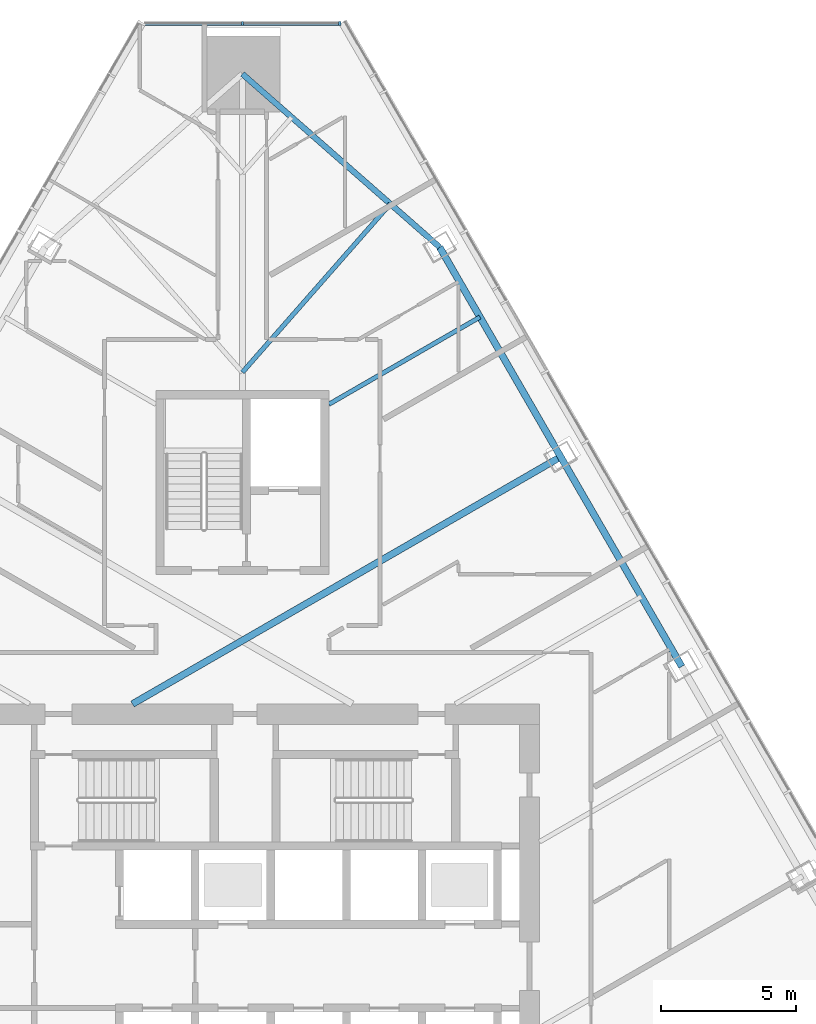
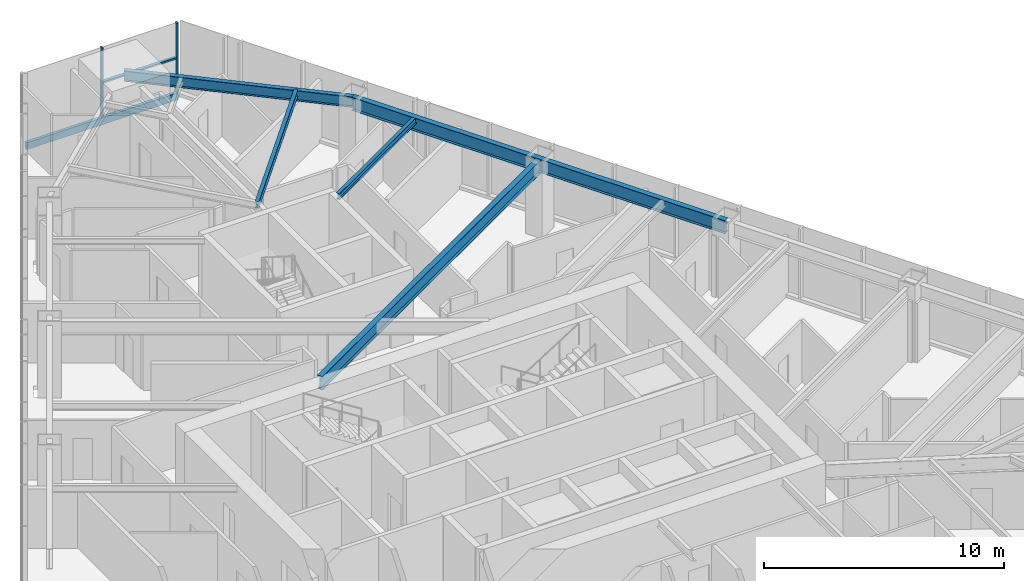
# One storey, part 12 of 21: 5 beams, 4 members, 1 element without a shape of its own.
"""IFC4 building model written with IfcOpenShell, lengths in metres."""

from ifc_helpers import new_model, si_unit, direction, frame, origin, origin_2d, place, context, subcontext, project, spatial, rectangle, i_section, extrude, material, layer, layer_set, material_profile, profile_set, type_object, element, aggregate, save


model = new_model("IFC4")

# Units and contexts
model_context = context("Model", 3, precision=1e-05, world=origin(), true_north=direction((0.0, 1.0)))
body_context = subcontext(model_context, "Body", "Model", "MODEL_VIEW")
ifc_project = project(units=[si_unit("LENGTHUNIT", "METRE"), si_unit("AREAUNIT", "SQUARE_METRE"), si_unit("VOLUMEUNIT", "CUBIC_METRE"), si_unit("PLANEANGLEUNIT", "RADIAN"), si_unit("MASSUNIT", "GRAM", prefix="KILO")], contexts=[model_context])

# Site, building, storey
site_placement = place(None, origin())
site = spatial("IfcSite", under=ifc_project, at=site_placement, CompositionType="ELEMENT")
building_placement = place(site_placement, origin())
building = spatial("IfcBuilding", under=site, at=building_placement, Name="Firuza Gate Tower and Library", CompositionType="ELEMENT")
storey_placement = place(building_placement, frame((0.0, 0.0, 167.5)))
storey = spatial("IfcBuildingStorey", under=building, at=storey_placement, Name="L38", CompositionType="ELEMENT", Elevation=167.5)

# Curtain wall, members
ifc_material_1 = material(Name="Aluminium 6063-T6", Category="aluminium")
ifc_layer = layer(ifc_material_1, 0.14990234375)
ifc_layer_set = layer_set([ifc_layer], Name="Corner curtain wall, chamfers")
curtain_wall_type = type_object("IfcCurtainWallType", Name="Corner curtain wall, chamfers", PredefinedType="NOTDEFINED", material=ifc_layer_set)
curtain_wall_placement = place(storey_placement, origin())
curtain_wall = element("IfcCurtainWall", 1, at=curtain_wall_placement, inside=storey, type_object=curtain_wall_type, Name="CW4 L38 N corner", PredefinedType="NOTDEFINED")
ifc_material_2 = material(Name="Aluminium 6063-T6", Category="aluminium")
ifc_material_profile_1 = material_profile(ifc_material_2, rectangle(XDim=0.14990234375, YDim=0.080078125, at=origin_2d()))
ifc_profile_set_1 = profile_set([ifc_material_profile_1], Name="Aluminium 6063-T6")
member_type_1 = type_object("IfcMemberType", Name="Curtain wall mullion 80x150", PredefinedType="MULLION", material=ifc_profile_set_1)
member_1_placement = place(storey_placement, frame((78.603271484375, 108.198486328125, 0.14990234375), z_axis=(0.0, 0.0, 1.0), x_axis=(0.0, -1.0, 0.0)))
member_1 = element("IfcMember", 2, at=member_1_placement, type_object=member_type_1, Name="Mullion", PredefinedType="MULLION", context=body_context, shape_type="SweptSolid", body=[
    extrude(rectangle(XDim=0.14990234375, YDim=0.080078125, at=origin_2d()), origin(), (0.0, 0.0, 1.0), 3.550048828125),
])
member_2_placement = place(storey_placement, frame((75.0, 108.198486328125, 0.14990234375), z_axis=(0.0, 0.0, 1.0), x_axis=(0.0, -1.0, 0.0)))
member_2 = element("IfcMember", 3, at=member_2_placement, type_object=member_type_1, Name="Mullion", PredefinedType="MULLION", context=body_context, shape_type="SweptSolid", body=[
    extrude(rectangle(XDim=0.14990234375, YDim=0.080078125, at=origin_2d()), origin(), (0.0, 0.0, 1.0), 3.550048828125),
])
ifc_material_3 = material(Name="Aluminium 6063-T6", Category="aluminium")
ifc_material_profile_2 = material_profile(ifc_material_3, rectangle(XDim=0.14990234375, YDim=0.35009765625, at=origin_2d()))
ifc_profile_set_2 = profile_set([ifc_material_profile_2], Name="Aluminium 6063-T6")
member_type_2 = type_object("IfcMemberType", Name="Curtain wall transom 350x150", PredefinedType="USERDEFINED", material=ifc_profile_set_2)
member_3_placement = place(storey_placement, frame((78.643310546875, 108.198486328125, -0.02490234375), z_axis=(-1.0, 0.0, 0.0), x_axis=(0.0, -1.0, 0.0)))
member_3 = element("IfcMember", 4, at=member_3_placement, type_object=member_type_2, Name="Transom", ObjectType="TRANSOM", PredefinedType="USERDEFINED", context=body_context, shape_type="SweptSolid", body=[
    extrude(rectangle(XDim=0.14990234375, YDim=0.35009765625, at=origin_2d()), origin(), (0.0, 0.0, 1.0), 7.28662109375),
])
ifc_material_4 = material(Name="Aluminium 6063-T6", Category="aluminium")
ifc_material_profile_3 = material_profile(ifc_material_4, rectangle(XDim=0.14990234375, YDim=0.080078125, at=origin_2d()))
ifc_profile_set_3 = profile_set([ifc_material_profile_3], Name="Aluminium 6063-T6")
member_type_3 = type_object("IfcMemberType", Name="Curtain wall transom 80x150", PredefinedType="USERDEFINED", material=ifc_profile_set_3)
member_4_placement = place(storey_placement, frame((78.603271484375, 108.198486328125, 1.925048828125), z_axis=(-1.0, 0.0, 0.0), x_axis=(0.0, -1.0, 0.0)))
member_4 = element("IfcMember", 5, at=member_4_placement, type_object=member_type_3, Name="Transom", ObjectType="TRANSOM", PredefinedType="USERDEFINED", context=body_context, shape_type="SweptSolid", body=[
    extrude(rectangle(XDim=0.14990234375, YDim=0.080078125, at=origin_2d()), origin(), (0.0, 0.0, 1.0), 3.563232421875),
])
aggregate(curtain_wall, [member_1, member_2, member_3, member_4])

# Beams
ifc_material_5 = material(Name="Steel S355", Category="steel")
ifc_material_profile_4 = material_profile(ifc_material_5, i_section(OverallWidth=0.1650390625, OverallDepth=0.31005859375, WebThickness=0.005859375, FlangeThickness=0.009765625, at=origin_2d()))
ifc_profile_set_4 = profile_set([ifc_material_profile_4], Name="Steel S355")
beam_type_1 = type_object("IfcBeamType", Name="W310x39 Floor beam", PredefinedType="JOIST", material=ifc_profile_set_4)
beam_1_placement = place(storey_placement, frame((83.795166015625, 97.3251953125, 3.544921875), z_axis=(-0.86602071536, -0.500008120501, 0.0), x_axis=(0.500008120501, -0.86602071536, 0.0)))
element("IfcBeam", 6, at=beam_1_placement, inside=storey, type_object=beam_type_1, Name="Floor beam L38 s55", PredefinedType="JOIST", context=body_context, shape_type="SweptSolid", body=[
    extrude(i_section(OverallWidth=0.1650390625, OverallDepth=0.31005859375, WebThickness=0.005859375, FlangeThickness=0.009765625, at=origin_2d()), origin(), (0.0, 0.0, 1.0), 6.4609375),
])
ifc_material_6 = material(Name="Steel S355", Category="steel")
ifc_material_profile_5 = material_profile(ifc_material_6, i_section(OverallWidth=0.1708984375, OverallDepth=0.35498046875, WebThickness=0.007080078125, FlangeThickness=0.01171875, at=origin_2d()))
ifc_profile_set_5 = profile_set([ifc_material_profile_5], Name="Steel S355")
beam_type_2 = type_object("IfcBeamType", Name="W360x51 Floor beam", PredefinedType="JOIST", material=ifc_profile_set_5)
beam_2_placement = place(storey_placement, frame((80.47607421875, 101.51513671875, 3.5224609375), z_axis=(-0.659805224478, -0.751436667824, 0.0), x_axis=(0.751436667824, -0.659805224478, 0.0)))
element("IfcBeam", 7, at=beam_2_placement, inside=storey, type_object=beam_type_2, Name="Floor beam L38 s60", PredefinedType="JOIST", context=body_context, shape_type="SweptSolid", body=[
    extrude(i_section(OverallWidth=0.1708984375, OverallDepth=0.35498046875, WebThickness=0.007080078125, FlangeThickness=0.01171875, at=origin_2d()), origin(), (0.0, 0.0, 1.0), 8.299560546875),
])
ifc_material_7 = material(Name="Steel S355", Category="steel")
ifc_material_profile_6 = material_profile(ifc_material_7, i_section(OverallWidth=0.212890625, OverallDepth=0.5390625, WebThickness=0.01171875, FlangeThickness=0.018798828125, at=origin_2d()))
ifc_profile_set_6 = profile_set([ifc_material_profile_6], Name="Steel S355")
beam_type_3 = type_object("IfcBeamType", Name="W530x109 Edge beam", PredefinedType="SPANDREL", material=ifc_profile_set_6)
beam_3_placement = place(storey_placement, frame((82.301513671875, 99.912353515625, 3.430419921875), z_axis=(-0.751437794332, 0.659803941524, 0.0), x_axis=(-0.659803941524, -0.751437794332, 0.0)))
element("IfcBeam", 8, at=beam_3_placement, inside=storey, type_object=beam_type_3, Name="Edge beam L38 e60", PredefinedType="SPANDREL", context=body_context, shape_type="SweptSolid", body=[
    extrude(i_section(OverallWidth=0.212890625, OverallDepth=0.5390625, WebThickness=0.01171875, FlangeThickness=0.018798828125, at=origin_2d()), origin(), (0.0, 0.0, 1.0), 9.716796875),
])
ifc_material_8 = material(Name="Steel S355", Category="steel")
ifc_material_profile_7 = material_profile(ifc_material_8, i_section(OverallWidth=0.2529296875, OverallDepth=0.677978515625, WebThickness=0.01171875, FlangeThickness=0.016357421875, at=origin_2d()))
ifc_profile_set_7 = profile_set([ifc_material_profile_7], Name="Steel S355")
beam_type_4 = type_object("IfcBeamType", Name="W690x125 Edge beam", PredefinedType="SPANDREL", material=ifc_profile_set_7)
beam_4_placement = place(storey_placement, frame((91.263427734375, 84.3896484375, 3.361083984375), z_axis=(-0.499994815902, 0.866028396804, 0.0), x_axis=(-0.866028396804, -0.499994815902, 0.0)))
element("IfcBeam", 9, at=beam_4_placement, inside=storey, type_object=beam_type_4, Name="Edge beam L38 e52", PredefinedType="SPANDREL", context=body_context, shape_type="SweptSolid", body=[
    extrude(i_section(OverallWidth=0.2529296875, OverallDepth=0.677978515625, WebThickness=0.01171875, FlangeThickness=0.016357421875, at=origin_2d()), origin(), (0.0, 0.0, 1.0), 17.924072265625),
])
ifc_material_9 = material(Name="Steel S355", Category="steel")
ifc_material_profile_8 = material_profile(ifc_material_9, i_section(OverallWidth=0.2529296875, OverallDepth=0.677978515625, WebThickness=0.01171875, FlangeThickness=0.016357421875, at=origin_2d()))
ifc_profile_set_8 = profile_set([ifc_material_profile_8], Name="Steel S355")
beam_type_5 = type_object("IfcBeamType", Name="W690x125 Floor beam", PredefinedType="JOIST", material=ifc_profile_set_8)
beam_5_placement = place(storey_placement, frame((86.782470703125, 92.15087890625, 3.361083984375), z_axis=(-0.866026309651, -0.49999843099, 0.0), x_axis=(0.49999843099, -0.866026309651, 0.0)))
element("IfcBeam", 10, at=beam_5_placement, inside=storey, type_object=beam_type_5, Name="Floor beam L38 s54", PredefinedType="JOIST", context=body_context, shape_type="SweptSolid", body=[
    extrude(i_section(OverallWidth=0.2529296875, OverallDepth=0.677978515625, WebThickness=0.01171875, FlangeThickness=0.016357421875, at=origin_2d()), origin(), (0.0, 0.0, 1.0), 18.3017578125),
])

save(model, "model.ifc")
